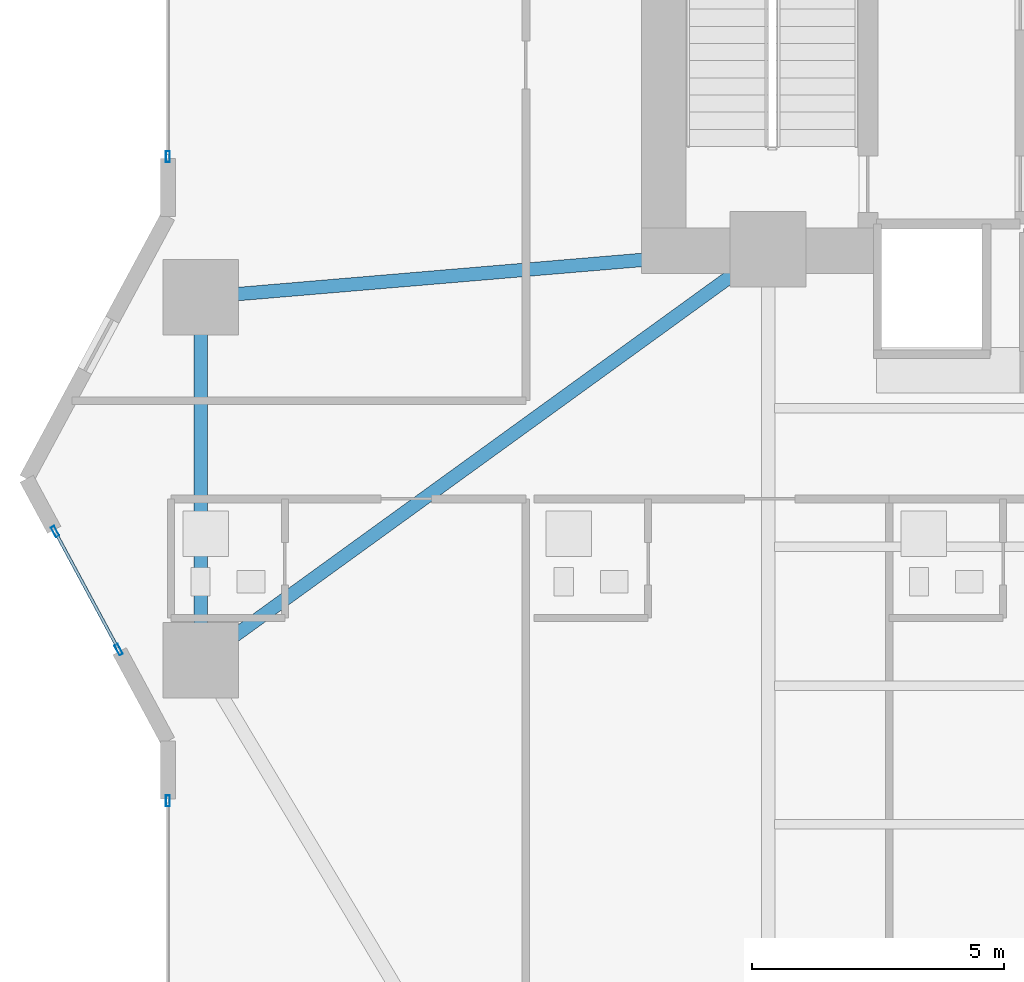
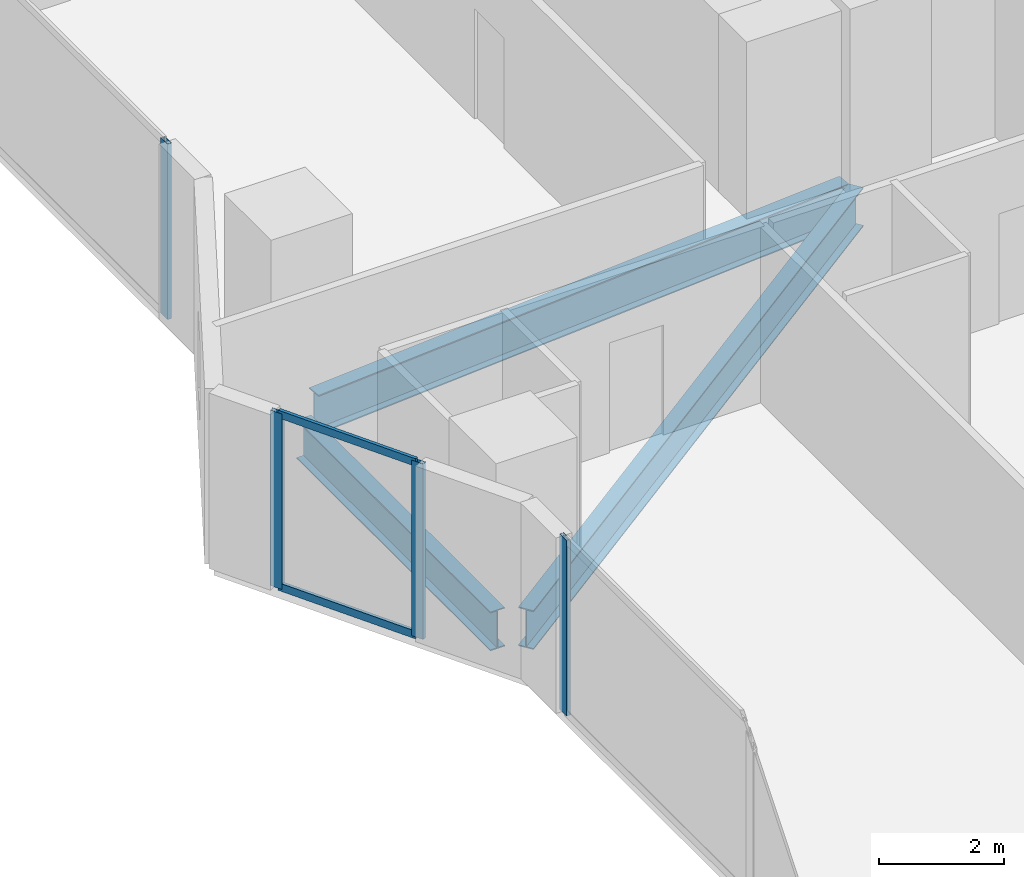
# One storey, part 6 of 28: 6 members, 3 beams, 3 elements without a shape of their own.
"""IFC4 building model written with IfcOpenShell, lengths in metres."""

from ifc_helpers import new_model, si_unit, direction, frame, origin, origin_2d, place, context, subcontext, project, spatial, hollow_rectangle, i_section, extrude, material, layer, layer_set, material_profile, profile_set, type_object, element, aggregate, save


model = new_model("IFC4")

# Units and contexts
model_context = context("Model", 3, precision=1e-05, world=origin(), true_north=direction((0.0, 1.0)))
body_context = subcontext(model_context, "Body", "Model", "MODEL_VIEW")
ifc_project = project(units=[si_unit("LENGTHUNIT", "METRE"), si_unit("AREAUNIT", "SQUARE_METRE"), si_unit("VOLUMEUNIT", "CUBIC_METRE"), si_unit("PLANEANGLEUNIT", "RADIAN"), si_unit("MASSUNIT", "GRAM", prefix="KILO")], contexts=[model_context])

# Site, building, storey
site_placement = place(None, origin())
site = spatial("IfcSite", under=ifc_project, at=site_placement, CompositionType="ELEMENT")
building_placement = place(site_placement, origin())
building = spatial("IfcBuilding", under=site, at=building_placement, Name="Zuhayl Quay Hotel", CompositionType="ELEMENT")
storey_placement = place(building_placement, frame((0.0, 0.0, 49.5)))
storey = spatial("IfcBuildingStorey", under=building, at=storey_placement, Name="L11", CompositionType="ELEMENT", Elevation=49.5)

# Beams
ifc_material_1 = material(Name="Steel ASTM A992 Grade 50", Category="steel")
ifc_material_profile_1 = material_profile(ifc_material_1, i_section(OverallWidth=0.26708984375, OverallDepth=0.761962890625, WebThickness=0.014404296875, FlangeThickness=0.021484375, at=origin_2d()), Name="W30X116")
ifc_profile_set_1 = profile_set([ifc_material_profile_1], Name="Steel ASTM A992 Grade 50")
beam_type = type_object("IfcBeamType", Name="BM_B1_W30X116", PredefinedType="BEAM", material=ifc_profile_set_1)
beam_1_placement = place(storey_placement, frame((-25.050048828125, 3.10009765625, -0.60107421875), z_axis=(0.0, -1.0, 0.0), x_axis=(1.0, 0.0, 0.0)))
element("IfcBeam", 1, at=beam_1_placement, inside=storey, type_object=beam_type, Name="L11 Floor Beam RG_L11_11", PredefinedType="BEAM", context=body_context, shape_type="SweptSolid", body=[
    extrude(i_section(OverallWidth=0.26708984375, OverallDepth=0.761962890625, WebThickness=0.014404296875, FlangeThickness=0.021484375, at=origin_2d()), origin(), (0.0, 0.0, 1.0), 6.2001953125),
])
beam_2_placement = place(storey_placement, frame((-24.64501953125, -3.306640625, -0.60107421875), z_axis=(0.809830244688, 0.586664277751, 0.0), x_axis=(-0.586664277751, 0.809830244688, 0.0)))
element("IfcBeam", 2, at=beam_2_placement, inside=storey, type_object=beam_type, Name="L11 Floor Beam FG_W_L11_1", PredefinedType="BEAM", context=body_context, shape_type="SweptSolid", body=[
    extrude(i_section(OverallWidth=0.26708984375, OverallDepth=0.761962890625, WebThickness=0.014404296875, FlangeThickness=0.021484375, at=origin_2d()), origin(), (0.0, 0.0, 1.0), 12.94189453125),
])
beam_3_placement = place(storey_placement, frame((-24.5517578125, 3.64208984375, -0.60107421875), z_axis=(0.996453145398, 0.084149444594, 0.0), x_axis=(-0.084149444594, 0.996453145398, 0.0)))
element("IfcBeam", 3, at=beam_3_placement, inside=storey, type_object=beam_type, Name="L11 Floor Beam FG_W_L11_2", PredefinedType="BEAM", context=body_context, shape_type="SweptSolid", body=[
    extrude(i_section(OverallWidth=0.26708984375, OverallDepth=0.761962890625, WebThickness=0.014404296875, FlangeThickness=0.021484375, at=origin_2d()), origin(), (0.0, 0.0, 1.0), 10.340087890625),
])

# Curtain wall, member
ifc_material_2 = material(Name="Anodised Aluminium 6063-T6", Category="aluminium")
ifc_layer = layer(ifc_material_2, 0.18994140625, Name="Anodised Aluminium 6063-T6", Category="aluminium")
ifc_layer_set = layer_set([ifc_layer], Name="Anodised Aluminium 6063-T6")
curtain_wall_type = type_object("IfcCurtainWallType", Name="CW_SYS_Z1", PredefinedType="USERDEFINED", material=ifc_layer_set)
curtain_wall_1_placement = place(storey_placement, origin())
curtain_wall_1 = element("IfcCurtainWall", 4, at=curtain_wall_1_placement, inside=storey, type_object=curtain_wall_type, Name="L11 Curtain Wall ENV_L11_E02_CW1", ObjectType="UNITISED CURTAIN WALL", PredefinedType="USERDEFINED")
ifc_material_3 = material(Name="Black-anodised aluminium 6063-T6", Category="aluminium")
ifc_material_profile_2 = material_profile(ifc_material_3, hollow_rectangle(XDim=0.074951171875, YDim=0.219970703125, WallThickness=0.00390625, at=origin_2d()), Name="ALU220X75")
ifc_profile_set_2 = profile_set([ifc_material_profile_2], Name="Black-anodised aluminium 6063-T6")
member_type_1 = type_object("IfcMemberType", Name="MB_CW_MUL_220", PredefinedType="MULLION", material=ifc_profile_set_2)
member_1_placement = place(storey_placement, frame((-25.699951171875, -6.387451171875, 0.0), z_axis=(0.0, 0.0, 1.0), x_axis=(-1.0, 0.0, 0.0)))
member_1 = element("IfcMember", 5, at=member_1_placement, type_object=member_type_1, Name="CW-Z1 mullion 3", PredefinedType="MULLION", context=body_context, shape_type="SweptSolid", body=[
    extrude(hollow_rectangle(XDim=0.074951171875, YDim=0.219970703125, WallThickness=0.00390625, at=origin_2d()), origin(), (0.0, 0.0, 1.0), 3.429931640625),
])
aggregate(curtain_wall_1, [member_1])

# Curtain wall, members
curtain_wall_2_placement = place(storey_placement, origin())
curtain_wall_2 = element("IfcCurtainWall", 6, at=curtain_wall_2_placement, inside=storey, type_object=curtain_wall_type, Name="L11 Curtain Wall ENV_L11_E03_CW1", ObjectType="UNITISED CURTAIN WALL", PredefinedType="USERDEFINED")
member_2_placement = place(storey_placement, frame((-26.67578125, -3.387939453125, 0.0), z_axis=(0.0, 0.0, 1.0), x_axis=(-0.880475795468, -0.474091102632, 0.0)))
member_2 = element("IfcMember", 7, at=member_2_placement, type_object=member_type_1, Name="CW-Z1 mullion 1", PredefinedType="MULLION", context=body_context, shape_type="SweptSolid", body=[
    extrude(hollow_rectangle(XDim=0.074951171875, YDim=0.219970703125, WallThickness=0.00390625, at=origin_2d()), origin(), (0.0, 0.0, 1.0), 3.429931640625),
])
member_3_placement = place(storey_placement, frame((-27.93701171875, -1.04541015625, 0.0), z_axis=(0.0, 0.0, 1.0), x_axis=(-0.880475795468, -0.474091102632, 0.0)))
member_3 = element("IfcMember", 8, at=member_3_placement, type_object=member_type_1, Name="CW-Z1 mullion 2", PredefinedType="MULLION", context=body_context, shape_type="SweptSolid", body=[
    extrude(hollow_rectangle(XDim=0.074951171875, YDim=0.219970703125, WallThickness=0.00390625, at=origin_2d()), origin(), (0.0, 0.0, 1.0), 3.429931640625),
])

# Curtain wall, member
curtain_wall_3_placement = place(storey_placement, origin())
curtain_wall_3 = element("IfcCurtainWall", 9, at=curtain_wall_3_placement, inside=storey, type_object=curtain_wall_type, Name="L11 Curtain Wall ENV_L11_E05_CW1", ObjectType="UNITISED CURTAIN WALL", PredefinedType="USERDEFINED")
member_4_placement = place(storey_placement, frame((-25.699951171875, 6.387451171875, 0.0), z_axis=(0.0, 0.0, 1.0), x_axis=(-1.0, 0.0, 0.0)))
member_4 = element("IfcMember", 10, at=member_4_placement, type_object=member_type_1, Name="CW-Z1 mullion 1", PredefinedType="MULLION", context=body_context, shape_type="SweptSolid", body=[
    extrude(hollow_rectangle(XDim=0.074951171875, YDim=0.219970703125, WallThickness=0.00390625, at=origin_2d()), origin(), (0.0, 0.0, 1.0), 3.429931640625),
])
aggregate(curtain_wall_3, [member_4])

# Member
ifc_material_profile_3 = material_profile(ifc_material_3, hollow_rectangle(XDim=0.06005859375, YDim=0.14990234375, WallThickness=0.00341796875, at=origin_2d()), Name="ALU150X60")
ifc_profile_set_3 = profile_set([ifc_material_profile_3], Name="Black-anodised aluminium 6063-T6")
member_type_2 = type_object("IfcMemberType", Name="MB_CW_TRN_150", PredefinedType="USERDEFINED", material=ifc_profile_set_3)
member_5_placement = place(storey_placement, frame((-26.693603515625, -3.35498046875, 0.030029296875), z_axis=(-0.474054771703, 0.880495356845, 0.0), x_axis=(-0.880495356845, -0.474054771703, 0.0)))
member_5 = element("IfcMember", 11, at=member_5_placement, type_object=member_type_2, Name="CW-Z1 transom 1.1", ObjectType="TRANSOM", PredefinedType="USERDEFINED", context=body_context, shape_type="SweptSolid", body=[
    extrude(hollow_rectangle(XDim=0.06005859375, YDim=0.14990234375, WallThickness=0.00341796875, at=origin_2d()), origin(), (0.0, 0.0, 1.0), 2.585205078125),
])

member_6_placement = place(storey_placement, frame((-26.693603515625, -3.35498046875, 3.39990234375), z_axis=(-0.474054771703, 0.880495356845, 0.0), x_axis=(-0.880495356845, -0.474054771703, 0.0)))
member_6 = element("IfcMember", 12, at=member_6_placement, type_object=member_type_2, Name="CW-Z1 transom 1.2", ObjectType="TRANSOM", PredefinedType="USERDEFINED", context=body_context, shape_type="SweptSolid", body=[
    extrude(hollow_rectangle(XDim=0.06005859375, YDim=0.14990234375, WallThickness=0.00341796875, at=origin_2d()), origin(), (0.0, 0.0, 1.0), 2.585205078125),
])

aggregate(curtain_wall_2, [member_2, member_3, member_5, member_6])

save(model, "model.ifc")
